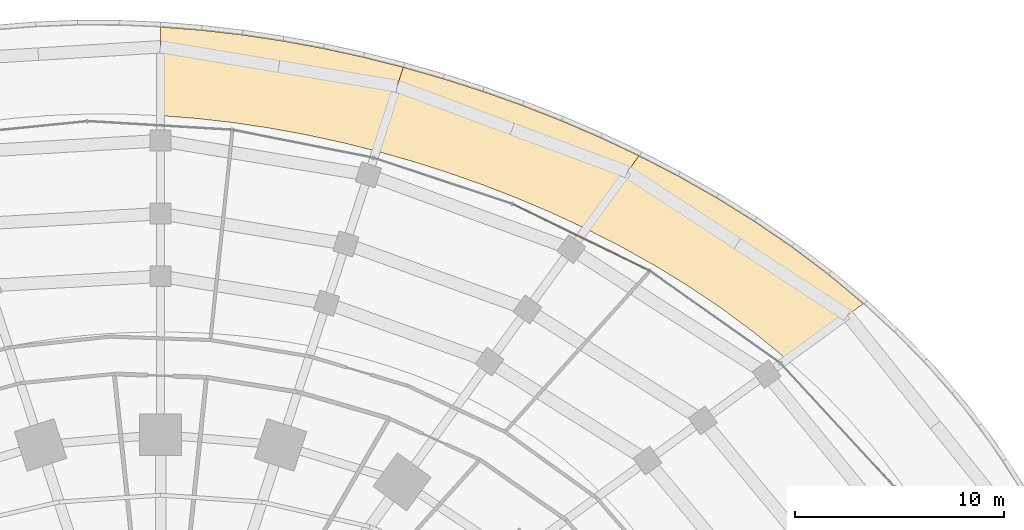
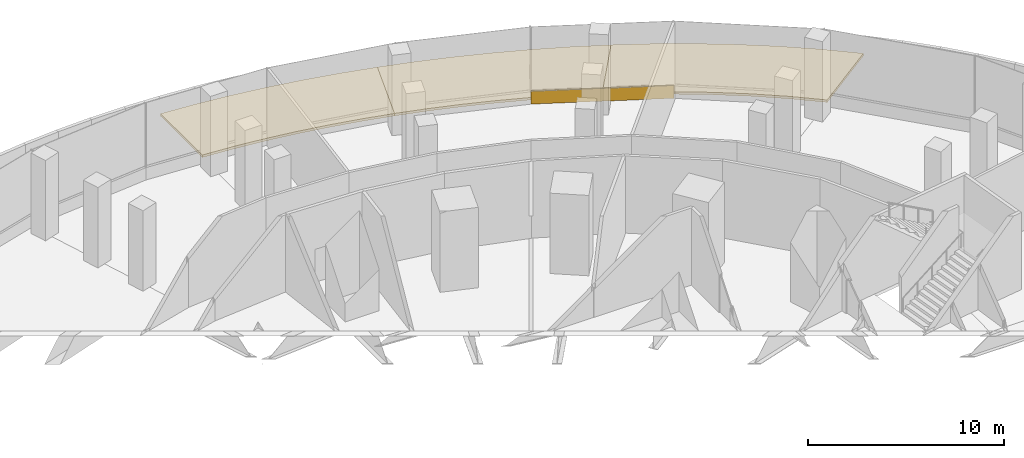
# One storey, part 31 of 31: 4 coverings.
"""IFC4 building model written with IfcOpenShell, lengths in metres."""

from ifc_helpers import new_model, si_unit, direction, frame, origin, origin_2d, place, context, subcontext, project, spatial, polyline, rectangle, outline, extrude, material, layer, layer_set, type_object, element, save


model = new_model("IFC4")

# Units and contexts
model_context = context("Model", 3, precision=1e-05, world=origin(), true_north=direction((0.0, 1.0)))
body_context = subcontext(model_context, "Body", "Model", "MODEL_VIEW")
ifc_project = project(units=[si_unit("LENGTHUNIT", "METRE"), si_unit("AREAUNIT", "SQUARE_METRE"), si_unit("VOLUMEUNIT", "CUBIC_METRE"), si_unit("PLANEANGLEUNIT", "RADIAN"), si_unit("MASSUNIT", "GRAM", prefix="KILO")], contexts=[model_context])

# Site, building, storey
site_placement = place(None, origin())
site = spatial("IfcSite", under=ifc_project, at=site_placement, CompositionType="ELEMENT")
building_placement = place(site_placement, origin())
building = spatial("IfcBuilding", under=site, at=building_placement, Name="Marramba Exchange Tower", CompositionType="ELEMENT")
storey_placement = place(building_placement, frame((0.0, 0.0, 5.60009765625)))
storey = spatial("IfcBuildingStorey", under=building, at=storey_placement, Name="L01", CompositionType="ELEMENT", Elevation=5.60009765625)

# Coverings
ifc_material_1 = material(Name="Extensive green roof: growing medium on drainage cell, filter fabric and root-barrier membrane")
ifc_layer_1 = layer(ifc_material_1, 0.14990234375)
ifc_layer_set_1 = layer_set([ifc_layer_1], Name="Planted roof build-up 150")
covering_type_1 = type_object("IfcCoveringType", Name="Planted roof build-up 150", PredefinedType="ROOFING", material=ifc_layer_set_1)
covering_1_placement = place(storey_placement, origin())
element("IfcCovering", 1, at=covering_1_placement, inside=storey, type_object=covering_type_1, Name="Planted roof build-up L01 bay 03", PredefinedType="ROOFING", context=body_context, shape_type="SweptSolid", body=[
    extrude(outline(polyline([(30.028076171875, 21.816650390625), (28.494873046875, 23.07470703125), (26.92236328125, 24.240966796875), (25.319580078125, 25.319580078125), (23.69384765625, 26.314697265625), (22.051513671875, 27.231201171875), (20.39697265625, 28.073974609375), (22.93798828125, 31.571533203125), (22.93798828125, 31.571533203125), (24.790771484375, 30.6142578125), (26.62841796875, 29.573974609375), (28.44580078125, 28.44580078125), (30.23583984375, 27.224365234375), (31.990234375, 25.905029296875), (33.698974609375, 24.483642578125), (33.698974609375, 24.483642578125), (30.028076171875, 21.816650390625)])), origin(), (0.0, 0.0, 1.0), 0.14990234375),
])
covering_2_placement = place(storey_placement, origin())
element("IfcCovering", 2, at=covering_2_placement, inside=storey, type_object=covering_type_1, Name="Planted roof build-up L01 bay 04", PredefinedType="ROOFING", context=body_context, shape_type="SweptSolid", body=[
    extrude(outline(polyline([(20.39697265625, 28.073974609375), (18.73388671875, 28.84765625), (17.064208984375, 29.55615234375), (15.389404296875, 30.203125), (13.70947265625, 30.791748046875), (12.024169921875, 31.323974609375), (10.3330078125, 31.801513671875), (11.636962890625, 35.81494140625), (11.636962890625, 35.81494140625), (13.5390625, 35.270751953125), (15.43359375, 34.664306640625), (17.32080078125, 33.993896484375), (19.200927734375, 33.257080078125), (21.073974609375, 32.450927734375), (22.93798828125, 31.571533203125), (20.39697265625, 28.073974609375)])), origin(), (0.0, 0.0, 1.0), 0.14990234375),
])
covering_3_placement = place(storey_placement, origin())
element("IfcCovering", 3, at=covering_3_placement, inside=storey, type_object=covering_type_1, Name="Planted roof build-up L01 bay 05", PredefinedType="ROOFING", context=body_context, shape_type="SweptSolid", body=[
    extrude(outline(polyline([(10.3330078125, 31.801513671875), (8.634521484375, 32.224853515625), (6.927978515625, 32.59375), (5.212158203125, 32.907470703125), (3.48583984375, 33.164794921875), (1.74853515625, 33.363037109375), (0.0, 33.5), (0.0, 37.75), (1.97021484375, 37.594482421875), (3.927490234375, 37.36865234375), (5.872314453125, 37.07568359375), (7.8046875, 36.718017578125), (9.725830078125, 36.29736328125), (11.636962890625, 35.81494140625), (10.3330078125, 31.801513671875)])), origin(), (0.0, 0.0, 1.0), 0.14990234375),
])
ifc_material_2 = material(Name="Aluminium spandrel panel, bronze anodised, insulated", Category="aluminium")
ifc_layer_2 = layer(ifc_material_2, 0.050048828125)
ifc_layer_set_2 = layer_set([ifc_layer_2], Name="Spandrel panel 800")
covering_type_2 = type_object("IfcCoveringType", Name="Spandrel panel 800", PredefinedType="CLADDING", material=ifc_layer_set_2)
covering_4_placement = place(storey_placement, frame((20.17431640625, 27.65380859375, 0.0), z_axis=(0.0, 0.0, 1.0), x_axis=(-0.89911990699, 0.437702402157, 0.0)))
element("IfcCovering", 4, at=covering_4_placement, inside=storey, type_object=covering_type_2, Name="Spandrel panel SP1 L01 F05", PredefinedType="CLADDING", context=body_context, shape_type="SweptSolid", body=[
    extrude(rectangle(XDim=7.3076171875, YDim=0.050048828125, at=origin_2d()), origin(), (0.0, 0.0, 1.0), 0.800048828125),
])

save(model, "model.ifc")
